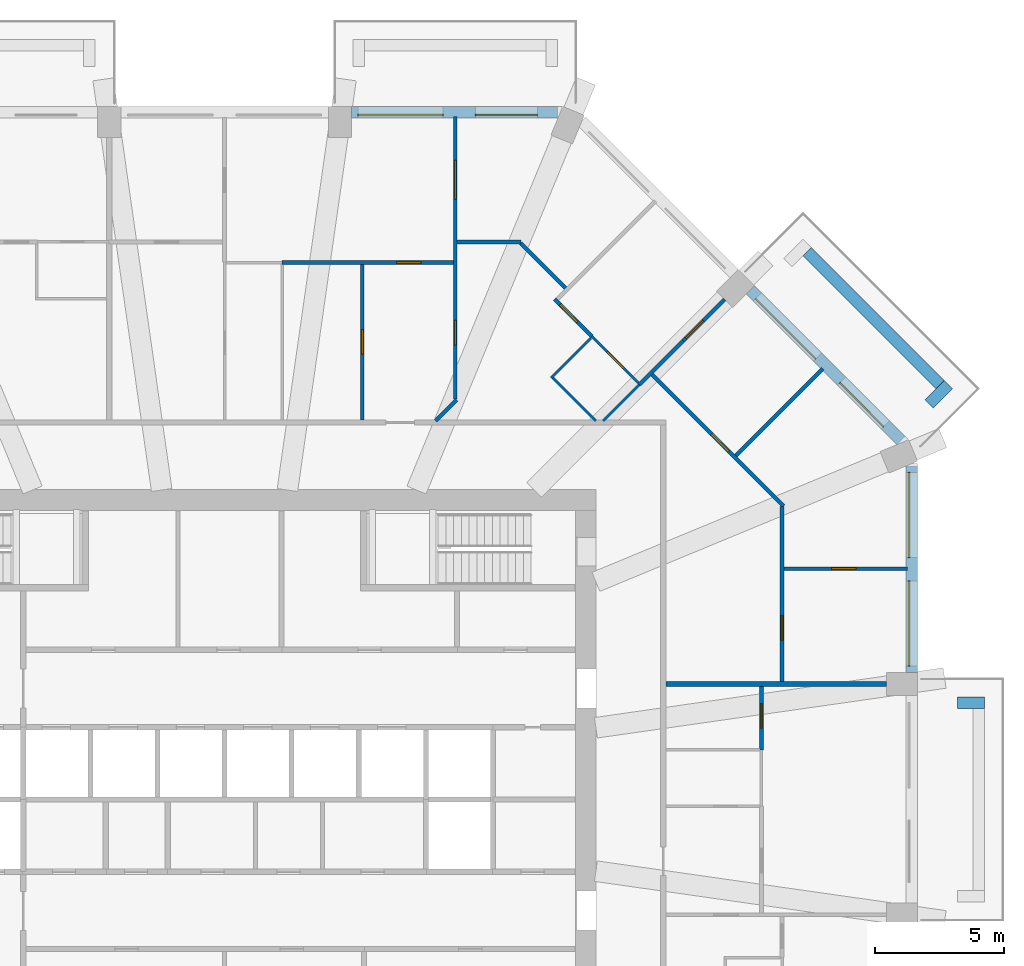
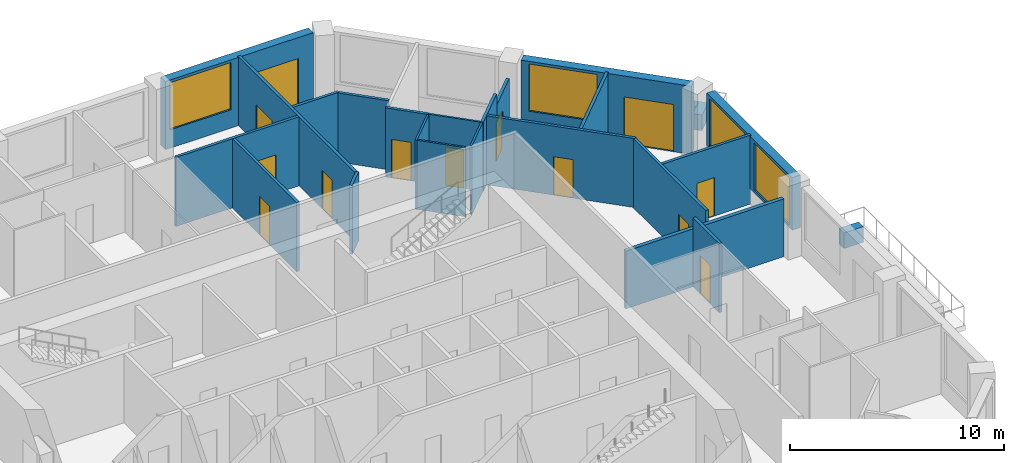
# One storey, part 10 of 13: 25 walls, 13 doors, 4 windows, 17 openings.
"""IFC4 building model written with IfcOpenShell, lengths in metres."""

from ifc_helpers import new_model, si_unit, direction, frame, frame_2d, origin, place, context, subcontext, project, spatial, rectangle, extrude, material, layer, layer_set, type_object, element, fill, save


model = new_model("IFC4")

# Units and contexts
model_context = context("Model", 3, precision=1e-05, world=origin(), true_north=direction((0.0, 1.0)))
body_context = subcontext(model_context, "Body", "Model", "MODEL_VIEW")
ifc_project = project(units=[si_unit("LENGTHUNIT", "METRE"), si_unit("AREAUNIT", "SQUARE_METRE"), si_unit("VOLUMEUNIT", "CUBIC_METRE"), si_unit("PLANEANGLEUNIT", "RADIAN"), si_unit("MASSUNIT", "GRAM", prefix="KILO")], contexts=[model_context])

# Site, building, storey
site_placement = place(None, origin())
site = spatial("IfcSite", under=ifc_project, at=site_placement, CompositionType="ELEMENT")
building_placement = place(site_placement, origin())
building = spatial("IfcBuilding", under=site, at=building_placement, Name="Msitu Wima Residences", CompositionType="ELEMENT")
storey_placement = place(building_placement, frame((0.0, 0.0, 106.5)))
storey = spatial("IfcBuildingStorey", under=building, at=storey_placement, Name="L24", CompositionType="ELEMENT", Elevation=106.5)

# Walls
ifc_material_1 = material(Name="Facing brick")
ifc_layer_1 = layer(ifc_material_1, 0.06494140625, Name="Facing brick")
ifc_material_2 = material(Name="Concrete C40/50", Category="concrete")
ifc_layer_2 = layer(ifc_material_2, 0.156005859375, Name="Concrete C40/50")
ifc_material_3 = material(Name="Waterproofing membrane")
ifc_layer_3 = layer(ifc_material_3, 0.00390625, Name="Waterproofing membrane")
ifc_material_4 = material(Name="Planting soil and planting")
ifc_layer_4 = layer(ifc_material_4, 0.22509765625, Name="Planting soil and planting")
ifc_layer_set_1 = layer_set([ifc_layer_1, ifc_layer_2, ifc_layer_3, ifc_layer_4], Name="Concrete C40/50")
wall_type_1 = type_object("IfcWallType", Name="Balcony planter PLANTER PL450", PredefinedType="USERDEFINED", material=ifc_layer_set_1)
wall_1_placement = place(storey_placement, frame((28.39990234375, 3.74365234375, 0.0), z_axis=(0.0, 0.0, 1.0), x_axis=(1.0, 0.0, 0.0)))
element("IfcWall", 1, at=wall_1_placement, inside=storey, type_object=wall_type_1, Name="Balcony planter E1 L24", ObjectType="PLANTER", PredefinedType="USERDEFINED", context=body_context, shape_type="SweptSolid", body=[
    extrude(rectangle(XDim=1.050048828125, YDim=0.449951171875, at=frame_2d((0.52490234375, 0.0))), origin(), (0.0, 0.0, 1.0), 0.89990234375),
])
wall_2_placement = place(storey_placement, frame((27.725830078125, 16.0751953125, 0.0), z_axis=(0.0, 0.0, 1.0), x_axis=(-0.707106781187, 0.707106781187, 0.0)))
element("IfcWall", 2, at=wall_2_placement, inside=storey, type_object=wall_type_1, Name="Balcony planter NE0 L24", ObjectType="PLANTER", PredefinedType="USERDEFINED", context=body_context, shape_type="SweptSolid", body=[
    extrude(rectangle(XDim=7.288330078125, YDim=0.449951171875, at=frame_2d((3.64404296875, 0.0))), origin(), (0.0, 0.0, 1.0), 0.89990234375),
])
wall_3_placement = place(storey_placement, frame((27.301513671875, 15.332763671875, 0.0), z_axis=(0.0, 0.0, 1.0), x_axis=(0.707106781187, 0.707106781187, 0.0)))
element("IfcWall", 3, at=wall_3_placement, inside=storey, type_object=wall_type_1, Name="Balcony planter NE0 L24", ObjectType="PLANTER", PredefinedType="USERDEFINED", context=body_context, shape_type="SweptSolid", body=[
    extrude(rectangle(XDim=1.050048828125, YDim=0.449951171875, at=frame_2d((0.52490234375, 0.0))), origin(), (0.0, 0.0, 1.0), 0.89990234375),
])

# Wall, openings, windows
ifc_material_5 = material(Name="Brick (red buff mix)", Category="masonry")
ifc_layer_5 = layer(ifc_material_5, 0.449951171875)
ifc_layer_set_2 = layer_set([ifc_layer_5], Name="Brick (red buff mix)")
wall_type_2 = type_object("IfcWallType", Name="Brick infill wall BW450", PredefinedType="SOLIDWALL", material=ifc_layer_set_2)
wall_4_placement = place(storey_placement, frame((26.625, 4.918701171875, 0.89990234375), z_axis=(0.0, 0.0, 1.0), x_axis=(0.0, 1.0, 0.0)))
wall_4 = element("IfcWall", 4, at=wall_4_placement, inside=storey, type_object=wall_type_2, Name="Brick infill wall L24 E2", PredefinedType="SOLIDWALL", context=body_context, shape_type="SweptSolid", body=[
    extrude(rectangle(XDim=8.0, YDim=0.449951171875, at=frame_2d((4.0, 0.0))), origin(), (0.0, 0.0, 1.0), 3.0),
])
opening_1_placement = place(wall_4_placement, frame((0.25, 0.0, 0.14990234375)))
opening_1 = element("IfcOpeningElement", 5, at=opening_1_placement, cuts=wall_4, Name="Opening W24.004", PredefinedType="OPENING", context=body_context, shape_type="SweptSolid", body=[
    extrude(rectangle(XDim=3.300048828125, YDim=2.699951171875, at=frame_2d((1.64990234375, 1.35009765625))), frame((0.0, 0.23486328125, 0.0), z_axis=(0.0, -1.0, 0.0), x_axis=(1.0, 0.0, 0.0)), (0.0, 0.0, 1.0), 0.469970703125),
])
opening_2_placement = place(wall_4_placement, frame((4.4501953125, 0.0, 0.14990234375)))
opening_2 = element("IfcOpeningElement", 6, at=opening_2_placement, cuts=wall_4, Name="Opening W24.005", PredefinedType="OPENING", context=body_context, shape_type="SweptSolid", body=[
    extrude(rectangle(XDim=3.300048828125, YDim=2.699951171875, at=frame_2d((1.64990234375, 1.35009765625))), frame((0.0, 0.23486328125, 0.0), z_axis=(0.0, -1.0, 0.0), x_axis=(1.0, 0.0, 0.0)), (0.0, 0.0, 1.0), 0.469970703125),
])
ifc_material_6 = material(Name="Anodised aluminium, bronze finish, clear low-emissivity double glazing", Category="aluminium")
window_type = type_object("IfcWindowType", Name="Window W3300x2700", PartitioningType="DOUBLE_PANEL_VERTICAL", PredefinedType="WINDOW", material=ifc_material_6)
window_1_placement = place(opening_1_placement, origin())
window_1 = element("IfcWindow", 7, at=window_1_placement, inside=storey, type_object=window_type, Name="Window L24 E2.1", OverallHeight=2.699951171875, OverallWidth=3.300048828125, PartitioningType="SINGLE_PANEL", PredefinedType="WINDOW", context=body_context, shape_type="SweptSolid", body=[
    extrude(rectangle(XDim=3.300048828125, YDim=2.699951171875, at=frame_2d((1.64990234375, 1.35009765625))), frame((0.0, 0.135009765625, 0.0), z_axis=(0.0, -1.0, 0.0), x_axis=(1.0, 0.0, 0.0)), (0.0, 0.0, 1.0), 0.06005859375),
])
fill(opening_1, window_1)
window_2_placement = place(opening_2_placement, origin())
window_2 = element("IfcWindow", 8, at=window_2_placement, inside=storey, type_object=window_type, Name="Window L24 E2.2", OverallHeight=2.699951171875, OverallWidth=3.300048828125, PartitioningType="SINGLE_PANEL", PredefinedType="WINDOW", context=body_context, shape_type="SweptSolid", body=[
    extrude(rectangle(XDim=3.300048828125, YDim=2.699951171875, at=frame_2d((1.64990234375, 1.35009765625))), frame((0.0, 0.135009765625, 0.0), z_axis=(0.0, -1.0, 0.0), x_axis=(1.0, 0.0, 0.0)), (0.0, 0.0, 1.0), 0.06005859375),
])
fill(opening_2, window_2)

# Wall, openings, door, window
wall_5_placement = place(storey_placement, frame((26.214599609375, 13.909423828125, 0.0), z_axis=(0.0, 0.0, 1.0), x_axis=(-0.707106781187, 0.707106781187, 0.0)))
wall_5 = element("IfcWall", 9, at=wall_5_placement, inside=storey, type_object=wall_type_2, Name="Brick infill wall L24 NE0", PredefinedType="SOLIDWALL", context=body_context, shape_type="SweptSolid", body=[
    extrude(rectangle(XDim=8.251220703125, YDim=0.449951171875, at=frame_2d((4.12548828125, 0.0))), origin(), (0.0, 0.0, 1.0), 3.89990234375),
])
opening_3_placement = place(wall_5_placement, frame((0.86279296875, 0.0, 0.0)))
opening_3 = element("IfcOpeningElement", 10, at=opening_3_placement, cuts=wall_5, Name="Opening D24.004", PredefinedType="OPENING", context=body_context, shape_type="SweptSolid", body=[
    extrude(rectangle(XDim=2.39990234375, YDim=2.699951171875, at=frame_2d((1.199951171875, 1.35009765625))), frame((0.0, 0.23486328125, 0.0), z_axis=(0.0, -1.0, 0.0), x_axis=(1.0, 0.0, 0.0)), (0.0, 0.0, 1.0), 0.469970703125),
])
opening_4_placement = place(wall_5_placement, frame((4.57568359375, 0.0, 1.050048828125)))
opening_4 = element("IfcOpeningElement", 11, at=opening_4_placement, cuts=wall_5, Name="Opening W24.010", PredefinedType="OPENING", context=body_context, shape_type="SweptSolid", body=[
    extrude(rectangle(XDim=3.300048828125, YDim=2.699951171875, at=frame_2d((1.64990234375, 1.35009765625))), frame((0.0, 0.23486328125, 0.0), z_axis=(0.0, -1.0, 0.0), x_axis=(1.0, 0.0, 0.0)), (0.0, 0.0, 1.0), 0.469970703125),
])
door_type_1 = type_object("IfcDoorType", Name="Balcony door D2400x2700", OperationType="SLIDING_TO_LEFT", PredefinedType="DOOR", material=ifc_material_6)
door_1_placement = place(opening_3_placement, origin())
door_1 = element("IfcDoor", 12, at=door_1_placement, inside=storey, type_object=door_type_1, Name="Balcony door L24 NE0", OperationType="SINGLE_SWING_LEFT", OverallHeight=2.699951171875, OverallWidth=2.39990234375, PredefinedType="DOOR", context=body_context, shape_type="SweptSolid", body=[
    extrude(rectangle(XDim=2.39990234375, YDim=2.699951171875, at=frame_2d((1.199951171875, 1.35009765625))), frame((0.0, 0.1298828125, 0.0), z_axis=(0.0, -1.0, 0.0), x_axis=(1.0, 0.0, 0.0)), (0.0, 0.0, 1.0), 0.050048828125),
])
fill(opening_3, door_1)
window_3_placement = place(opening_4_placement, origin())
window_3 = element("IfcWindow", 13, at=window_3_placement, inside=storey, type_object=window_type, Name="Window L24 NE0.2", OverallHeight=2.699951171875, OverallWidth=3.300048828125, PartitioningType="SINGLE_PANEL", PredefinedType="WINDOW", context=body_context, shape_type="SweptSolid", body=[
    extrude(rectangle(XDim=3.300048828125, YDim=2.699951171875, at=frame_2d((1.64990234375, 1.35009765625))), frame((0.0, 0.135009765625, 0.0), z_axis=(0.0, -1.0, 0.0), x_axis=(1.0, 0.0, 0.0)), (0.0, 0.0, 1.0), 0.06005859375),
])
fill(opening_4, window_3)

wall_6_placement = place(storey_placement, frame((12.918701171875, 26.625, 0.0), z_axis=(0.0, 0.0, 1.0), x_axis=(-1.0, 0.0, 0.0)))
wall_6 = element("IfcWall", 14, at=wall_6_placement, inside=storey, type_object=wall_type_2, Name="Brick infill wall L24 N0", PredefinedType="SOLIDWALL", context=body_context, shape_type="SweptSolid", body=[
    extrude(rectangle(XDim=8.0, YDim=0.449951171875, at=frame_2d((4.0, 0.0))), origin(), (0.0, 0.0, 1.0), 3.89990234375),
])
opening_5_placement = place(wall_6_placement, frame((0.800048828125, 0.0, 0.0)))
opening_5 = element("IfcOpeningElement", 15, at=opening_5_placement, cuts=wall_6, Name="Opening D24.002", PredefinedType="OPENING", context=body_context, shape_type="SweptSolid", body=[
    extrude(rectangle(XDim=2.39990234375, YDim=2.699951171875, at=frame_2d((1.199951171875, 1.35009765625))), frame((0.0, 0.23486328125, 0.0), z_axis=(0.0, -1.0, 0.0), x_axis=(1.0, 0.0, 0.0)), (0.0, 0.0, 1.0), 0.469970703125),
])
opening_6_placement = place(wall_6_placement, frame((4.4501953125, 0.0, 1.050048828125)))
opening_6 = element("IfcOpeningElement", 16, at=opening_6_placement, cuts=wall_6, Name="Opening W24.006", PredefinedType="OPENING", context=body_context, shape_type="SweptSolid", body=[
    extrude(rectangle(XDim=3.300048828125, YDim=2.699951171875, at=frame_2d((1.64990234375, 1.35009765625))), frame((0.0, 0.23486328125, 0.0), z_axis=(0.0, -1.0, 0.0), x_axis=(1.0, 0.0, 0.0)), (0.0, 0.0, 1.0), 0.469970703125),
])
door_2_placement = place(opening_5_placement, origin())
door_2 = element("IfcDoor", 17, at=door_2_placement, inside=storey, type_object=door_type_1, Name="Balcony door L24 N0", OperationType="SINGLE_SWING_LEFT", OverallHeight=2.699951171875, OverallWidth=2.39990234375, PredefinedType="DOOR", context=body_context, shape_type="SweptSolid", body=[
    extrude(rectangle(XDim=2.39990234375, YDim=2.699951171875, at=frame_2d((1.199951171875, 1.35009765625))), frame((0.0, 0.1298828125, 0.0), z_axis=(0.0, -1.0, 0.0), x_axis=(1.0, 0.0, 0.0)), (0.0, 0.0, 1.0), 0.050048828125),
])
fill(opening_5, door_2)
window_4_placement = place(opening_6_placement, origin())
window_4 = element("IfcWindow", 18, at=window_4_placement, inside=storey, type_object=window_type, Name="Window L24 N0.2", OverallHeight=2.699951171875, OverallWidth=3.300048828125, PartitioningType="SINGLE_PANEL", PredefinedType="WINDOW", context=body_context, shape_type="SweptSolid", body=[
    extrude(rectangle(XDim=3.300048828125, YDim=2.699951171875, at=frame_2d((1.64990234375, 1.35009765625))), frame((0.0, 0.135009765625, 0.0), z_axis=(0.0, -1.0, 0.0), x_axis=(1.0, 0.0, 0.0)), (0.0, 0.0, 1.0), 0.06005859375),
])
fill(opening_6, window_4)

# Wall, opening, door
ifc_material_7 = material(Name="Plaster")
ifc_layer_6 = layer(ifc_material_7, 0.011962890625, Name="Plaster")
ifc_material_8 = material(Name="Concrete blockwork", Category="masonry")
ifc_layer_7 = layer(ifc_material_8, 0.1259765625, Name="Concrete blockwork")
ifc_layer_8 = layer(ifc_material_7, 0.011962890625, Name="Plaster")
ifc_layer_set_3 = layer_set([ifc_layer_6, ifc_layer_7, ifc_layer_8], Name="Concrete blockwork")
wall_type_3 = type_object("IfcWallType", Name="Partition PW150", PredefinedType="PARTITIONING", material=ifc_layer_set_3)
wall_7_placement = place(storey_placement, frame((2.21728515625, 20.800048828125, 0.0), z_axis=(0.0, 0.0, 1.0), x_axis=(1.0, 0.0, 0.0)))
wall_7 = element("IfcWall", 19, at=wall_7_placement, inside=storey, type_object=wall_type_3, Name="Partition", PredefinedType="PARTITIONING", context=body_context, shape_type="SweptSolid", body=[
    extrude(rectangle(XDim=6.64501953125, YDim=0.14990234375, at=frame_2d((3.322509765625, 0.0))), origin(), (0.0, 0.0, 1.0), 3.949951171875),
])
opening_7_placement = place(wall_7_placement, frame((4.449951171875, 0.0, 0.0)))
opening_7 = element("IfcOpeningElement", 20, at=opening_7_placement, cuts=wall_7, Name="Opening D24.053", PredefinedType="OPENING", context=body_context, shape_type="SweptSolid", body=[
    extrude(rectangle(XDim=0.949951171875, YDim=2.199951171875, at=frame_2d((0.47509765625, 1.10009765625))), frame((0.0, 0.0849609375, 0.0), z_axis=(0.0, -1.0, 0.0), x_axis=(1.0, 0.0, 0.0)), (0.0, 0.0, 1.0), 0.169921875),
])
ifc_material_9 = material(Name="Timber flush door", Category="wood")
door_type_2 = type_object("IfcDoorType", Name="Room door D12 950x2200", OperationType="SINGLE_SWING_LEFT", PredefinedType="DOOR", material=ifc_material_9)
door_3_placement = place(opening_7_placement, origin())
door_3 = element("IfcDoor", 21, at=door_3_placement, inside=storey, type_object=door_type_2, Name="Room door", OperationType="SINGLE_SWING_RIGHT", OverallHeight=2.199951171875, OverallWidth=0.949951171875, PredefinedType="DOOR", context=body_context, shape_type="SweptSolid", body=[
    extrude(rectangle(XDim=0.949951171875, YDim=2.199951171875, at=frame_2d((0.47509765625, 1.10009765625))), frame((0.0, 0.02490234375, 0.0), z_axis=(0.0, -1.0, 0.0), x_axis=(1.0, 0.0, 0.0)), (0.0, 0.0, 1.0), 0.050048828125),
])
fill(opening_7, door_3)

wall_8_placement = place(storey_placement, frame((5.337158203125, 14.699951171875, 0.0), z_axis=(0.0, 0.0, 1.0), x_axis=(0.0, 1.0, 0.0)))
wall_8 = element("IfcWall", 22, at=wall_8_placement, inside=storey, type_object=wall_type_3, Name="Partition", PredefinedType="PARTITIONING", context=body_context, shape_type="SweptSolid", body=[
    extrude(rectangle(XDim=6.025146484375, YDim=0.14990234375, at=frame_2d((3.0126953125, 0.0))), origin(), (0.0, 0.0, 1.0), 3.949951171875),
])
opening_8_placement = place(wall_8_placement, frame((2.550048828125, 0.0, 0.0)))
opening_8 = element("IfcOpeningElement", 23, at=opening_8_placement, cuts=wall_8, Name="Opening D24.075", PredefinedType="OPENING", context=body_context, shape_type="SweptSolid", body=[
    extrude(rectangle(XDim=0.949951171875, YDim=2.199951171875, at=frame_2d((0.47509765625, 1.10009765625))), frame((0.0, 0.0849609375, 0.0), z_axis=(0.0, -1.0, 0.0), x_axis=(1.0, 0.0, 0.0)), (0.0, 0.0, 1.0), 0.169921875),
])
door_4_placement = place(opening_8_placement, origin())
door_4 = element("IfcDoor", 24, at=door_4_placement, inside=storey, type_object=door_type_2, Name="Room door", OperationType="SINGLE_SWING_RIGHT", OverallHeight=2.199951171875, OverallWidth=0.949951171875, PredefinedType="DOOR", context=body_context, shape_type="SweptSolid", body=[
    extrude(rectangle(XDim=0.949951171875, YDim=2.199951171875, at=frame_2d((0.47509765625, 1.10009765625))), frame((0.0, 0.02490234375, 0.0), z_axis=(0.0, -1.0, 0.0), x_axis=(1.0, 0.0, 0.0)), (0.0, 0.0, 1.0), 0.050048828125),
])
fill(opening_8, door_4)

# Wall
wall_9_placement = place(storey_placement, frame((8.173583984375, 14.670654296875, 0.0), z_axis=(0.0, 0.0, 1.0), x_axis=(0.707106781187, 0.707106781187, 0.0)))
element("IfcWall", 25, at=wall_9_placement, inside=storey, type_object=wall_type_3, Name="Partition", PredefinedType="PARTITIONING", context=body_context, shape_type="SweptSolid", body=[
    extrude(rectangle(XDim=1.155029296875, YDim=0.14990234375, at=frame_2d((0.57763671875, 0.0))), origin(), (0.0, 0.0, 1.0), 3.949951171875),
])

# Wall, openings, doors
wall_10_placement = place(storey_placement, frame((8.937255859375, 15.50927734375, 0.0), z_axis=(0.0, 0.0, 1.0), x_axis=(0.0, 1.0, 0.0)))
wall_10 = element("IfcWall", 26, at=wall_10_placement, inside=storey, type_object=wall_type_3, Name="Partition", PredefinedType="PARTITIONING", context=body_context, shape_type="SweptSolid", body=[
    extrude(rectangle(XDim=10.94580078125, YDim=0.14990234375, at=frame_2d((5.472900390625, 0.0))), origin(), (0.0, 0.0, 1.0), 3.949951171875),
])
opening_9_placement = place(wall_10_placement, frame((2.10009765625, 0.0, 0.0)))
opening_9 = element("IfcOpeningElement", 27, at=opening_9_placement, cuts=wall_10, Name="Opening D24.042", PredefinedType="OPENING", context=body_context, shape_type="SweptSolid", body=[
    extrude(rectangle(XDim=0.949951171875, YDim=2.199951171875, at=frame_2d((0.47509765625, 1.10009765625))), frame((0.0, 0.0849609375, 0.0), z_axis=(0.0, -1.0, 0.0), x_axis=(1.0, 0.0, 0.0)), (0.0, 0.0, 1.0), 0.169921875),
])
opening_10_placement = place(wall_10_placement, frame((7.75, 0.0, 0.0)))
opening_10 = element("IfcOpeningElement", 28, at=opening_10_placement, cuts=wall_10, Name="Opening D24.064", PredefinedType="OPENING", context=body_context, shape_type="SweptSolid", body=[
    extrude(rectangle(XDim=1.5, YDim=2.199951171875, at=frame_2d((0.75, 1.10009765625))), frame((0.0, 0.0849609375, 0.0), z_axis=(0.0, -1.0, 0.0), x_axis=(1.0, 0.0, 0.0)), (0.0, 0.0, 1.0), 0.169921875),
])
ifc_material_10 = material(Name="Timber double door", Category="wood")
door_type_3 = type_object("IfcDoorType", Name="Double door D04 1500x2200", OperationType="DOUBLE_DOOR_SINGLE_SWING", PredefinedType="DOOR", material=ifc_material_10)
door_5_placement = place(opening_10_placement, origin())
door_5 = element("IfcDoor", 29, at=door_5_placement, inside=storey, type_object=door_type_3, Name="Double door", OperationType="DOUBLE_DOOR_SINGLE_SWING", OverallHeight=2.199951171875, OverallWidth=1.5, PredefinedType="DOOR", context=body_context, shape_type="SweptSolid", body=[
    extrude(rectangle(XDim=1.5, YDim=2.199951171875, at=frame_2d((0.75, 1.10009765625))), frame((0.0, 0.02490234375, 0.0), z_axis=(0.0, -1.0, 0.0), x_axis=(1.0, 0.0, 0.0)), (0.0, 0.0, 1.0), 0.050048828125),
])
fill(opening_10, door_5)
door_6_placement = place(opening_9_placement, origin())
door_6 = element("IfcDoor", 30, at=door_6_placement, inside=storey, type_object=door_type_2, Name="Room door", OperationType="SINGLE_SWING_RIGHT", OverallHeight=2.199951171875, OverallWidth=0.949951171875, PredefinedType="DOOR", context=body_context, shape_type="SweptSolid", body=[
    extrude(rectangle(XDim=0.949951171875, YDim=2.199951171875, at=frame_2d((0.47509765625, 1.10009765625))), frame((0.0, 0.02490234375, 0.0), z_axis=(0.0, -1.0, 0.0), x_axis=(1.0, 0.0, 0.0)), (0.0, 0.0, 1.0), 0.050048828125),
])
fill(opening_9, door_6)

# Walls
wall_11_placement = place(storey_placement, frame((9.01220703125, 21.60009765625, 0.0), z_axis=(0.0, 0.0, 1.0), x_axis=(1.0, 0.0, 0.0)))
element("IfcWall", 31, at=wall_11_placement, inside=storey, type_object=wall_type_3, Name="Partition", PredefinedType="PARTITIONING", context=body_context, shape_type="SweptSolid", body=[
    extrude(rectangle(XDim=2.48046875, YDim=0.14990234375, at=frame_2d((1.240234375, 0.0))), origin(), (0.0, 0.0, 1.0), 3.949951171875),
])
wall_12_placement = place(storey_placement, frame((11.470703125, 21.546875, 0.0), z_axis=(0.0, 0.0, 1.0), x_axis=(0.707106781187, -0.707106781187, 0.0)))
element("IfcWall", 32, at=wall_12_placement, inside=storey, type_object=wall_type_3, Name="Partition", PredefinedType="PARTITIONING", context=body_context, shape_type="SweptSolid", body=[
    extrude(rectangle(XDim=2.455810546875, YDim=0.14990234375, at=frame_2d((1.22802734375, 0.0))), origin(), (0.0, 0.0, 1.0), 3.949951171875),
])

# Wall, opening, door
wall_13_placement = place(storey_placement, frame((12.782958984375, 19.38623046875, 0.0), z_axis=(0.0, 0.0, 1.0), x_axis=(0.707106781187, -0.707106781187, 0.0)))
wall_13 = element("IfcWall", 33, at=wall_13_placement, inside=storey, type_object=wall_type_3, Name="Partition", PredefinedType="PARTITIONING", context=body_context, shape_type="SweptSolid", body=[
    extrude(rectangle(XDim=2.049072265625, YDim=0.14990234375, at=frame_2d((1.0244140625, 0.0))), origin(), (0.0, 0.0, 1.0), 3.949951171875),
])
opening_11_placement = place(wall_13_placement, frame((0.300048828125, 0.0, 0.0)))
opening_11 = element("IfcOpeningElement", 34, at=opening_11_placement, cuts=wall_13, Name="Opening D24.086", PredefinedType="OPENING", context=body_context, shape_type="SweptSolid", body=[
    extrude(rectangle(XDim=0.949951171875, YDim=2.199951171875, at=frame_2d((0.47509765625, 1.10009765625))), frame((0.0, 0.0849609375, 0.0), z_axis=(0.0, -1.0, 0.0), x_axis=(1.0, 0.0, 0.0)), (0.0, 0.0, 1.0), 0.169921875),
])
door_7_placement = place(opening_11_placement, origin())
door_7 = element("IfcDoor", 35, at=door_7_placement, inside=storey, type_object=door_type_2, Name="Room door", OperationType="SINGLE_SWING_LEFT", OverallHeight=2.199951171875, OverallWidth=0.949951171875, PredefinedType="DOOR", context=body_context, shape_type="SweptSolid", body=[
    extrude(rectangle(XDim=0.949951171875, YDim=2.199951171875, at=frame_2d((0.47509765625, 1.10009765625))), frame((0.0, 0.02490234375, 0.0), z_axis=(0.0, -1.0, 0.0), x_axis=(1.0, 0.0, 0.0)), (0.0, 0.0, 1.0), 0.050048828125),
])
fill(opening_11, door_7)

# Wall
wall_14_placement = place(storey_placement, frame((16.0703125, 16.0703125, 0.0), z_axis=(0.0, 0.0, 1.0), x_axis=(0.707106781187, 0.707106781187, 0.0)))
element("IfcWall", 36, at=wall_14_placement, inside=storey, type_object=wall_type_3, Name="Partition", PredefinedType="PARTITIONING", context=body_context, shape_type="SweptSolid", body=[
    extrude(rectangle(XDim=2.400390625, YDim=0.14990234375, at=frame_2d((1.2001953125, 0.0))), origin(), (0.0, 0.0, 1.0), 3.949951171875),
])

# Wall, opening, door
wall_15_placement = place(storey_placement, frame((17.767578125, 17.767578125, 0.0), z_axis=(0.0, 0.0, 1.0), x_axis=(0.707106781187, 0.707106781187, 0.0)))
wall_15 = element("IfcWall", 37, at=wall_15_placement, inside=storey, type_object=wall_type_3, Name="Partition", PredefinedType="PARTITIONING", context=body_context, shape_type="SweptSolid", body=[
    extrude(rectangle(XDim=2.269775390625, YDim=0.14990234375, at=frame_2d((1.134765625, 0.0))), origin(), (0.0, 0.0, 1.0), 3.300048828125),
])
opening_12_placement = place(wall_15_placement, frame((0.14990234375, 0.0, 0.0)))
opening_12 = element("IfcOpeningElement", 38, at=opening_12_placement, cuts=wall_15, Name="Opening D24.043", PredefinedType="OPENING", context=body_context, shape_type="SweptSolid", body=[
    extrude(rectangle(XDim=0.949951171875, YDim=2.199951171875, at=frame_2d((0.47509765625, 1.10009765625))), frame((0.0, 0.0849609375, 0.0), z_axis=(0.0, -1.0, 0.0), x_axis=(1.0, 0.0, 0.0)), (0.0, 0.0, 1.0), 0.169921875),
])
door_8_placement = place(opening_12_placement, origin())
door_8 = element("IfcDoor", 39, at=door_8_placement, inside=storey, type_object=door_type_2, Name="Room door", OperationType="SINGLE_SWING_RIGHT", OverallHeight=2.199951171875, OverallWidth=0.949951171875, PredefinedType="DOOR", context=body_context, shape_type="SweptSolid", body=[
    extrude(rectangle(XDim=0.949951171875, YDim=2.199951171875, at=frame_2d((0.47509765625, 1.10009765625))), frame((0.0, 0.02490234375, 0.0), z_axis=(0.0, -1.0, 0.0), x_axis=(1.0, 0.0, 0.0)), (0.0, 0.0, 1.0), 0.050048828125),
])
fill(opening_12, door_8)

wall_16_placement = place(storey_placement, frame((16.561767578125, 16.455810546875, 0.0), z_axis=(0.0, 0.0, 1.0), x_axis=(0.707123735134, -0.707089826832, 0.0)))
wall_16 = element("IfcWall", 40, at=wall_16_placement, inside=storey, type_object=wall_type_3, Name="Partition", PredefinedType="PARTITIONING", context=body_context, shape_type="SweptSolid", body=[
    extrude(rectangle(XDim=7.199951171875, YDim=0.14990234375, at=frame_2d((3.60009765625, 0.0))), origin(), (0.0, 0.0, 1.0), 3.949951171875),
])
opening_13_placement = place(wall_16_placement, frame((3.25, 0.0, 0.0)))
opening_13 = element("IfcOpeningElement", 41, at=opening_13_placement, cuts=wall_16, Name="Opening D24.044", PredefinedType="OPENING", context=body_context, shape_type="SweptSolid", body=[
    extrude(rectangle(XDim=0.949951171875, YDim=2.199951171875, at=frame_2d((0.47509765625, 1.10009765625))), frame((0.0, 0.0849609375, 0.0), z_axis=(0.0, -1.0, 0.0), x_axis=(1.0, 0.0, 0.0)), (0.0, 0.0, 1.0), 0.169921875),
])
door_9_placement = place(opening_13_placement, origin())
door_9 = element("IfcDoor", 42, at=door_9_placement, inside=storey, type_object=door_type_2, Name="Room door", OperationType="SINGLE_SWING_RIGHT", OverallHeight=2.199951171875, OverallWidth=0.949951171875, PredefinedType="DOOR", context=body_context, shape_type="SweptSolid", body=[
    extrude(rectangle(XDim=0.949951171875, YDim=2.199951171875, at=frame_2d((0.47509765625, 1.10009765625))), frame((0.0, 0.02490234375, 0.0), z_axis=(0.0, -1.0, 0.0), x_axis=(1.0, 0.0, 0.0)), (0.0, 0.0, 1.0), 0.050048828125),
])
fill(opening_13, door_9)

# Wall
wall_17_placement = place(storey_placement, frame((19.810302734375, 13.313232421875, 0.0), z_axis=(0.0, 0.0, 1.0), x_axis=(0.707106781187, 0.707106781187, 0.0)))
element("IfcWall", 43, at=wall_17_placement, inside=storey, type_object=wall_type_3, Name="Partition", PredefinedType="PARTITIONING", context=body_context, shape_type="SweptSolid", body=[
    extrude(rectangle(XDim=4.7802734375, YDim=0.14990234375, at=frame_2d((2.39013671875, 0.0))), origin(), (0.0, 0.0, 1.0), 3.949951171875),
])

# Wall, opening, door
wall_18_placement = place(storey_placement, frame((20.800048828125, 1.911376953125, 0.0), z_axis=(0.0, 0.0, 1.0), x_axis=(0.0, 1.0, 0.0)))
wall_18 = element("IfcWall", 44, at=wall_18_placement, inside=storey, type_object=wall_type_3, Name="Partition", PredefinedType="PARTITIONING", context=body_context, shape_type="SweptSolid", body=[
    extrude(rectangle(XDim=2.457275390625, YDim=0.14990234375, at=frame_2d((1.228515625, 0.0))), origin(), (0.0, 0.0, 1.0), 3.949951171875),
])
opening_14_placement = place(wall_18_placement, frame((0.85009765625, 0.0, 0.0)))
opening_14 = element("IfcOpeningElement", 45, at=opening_14_placement, cuts=wall_18, Name="Opening D24.090", PredefinedType="OPENING", context=body_context, shape_type="SweptSolid", body=[
    extrude(rectangle(XDim=0.949951171875, YDim=2.199951171875, at=frame_2d((0.47509765625, 1.10009765625))), frame((0.0, 0.0849609375, 0.0), z_axis=(0.0, -1.0, 0.0), x_axis=(1.0, 0.0, 0.0)), (0.0, 0.0, 1.0), 0.169921875),
])
door_10_placement = place(opening_14_placement, origin())
door_10 = element("IfcDoor", 46, at=door_10_placement, inside=storey, type_object=door_type_2, Name="Room door", OperationType="SINGLE_SWING_LEFT", OverallHeight=2.199951171875, OverallWidth=0.949951171875, PredefinedType="DOOR", context=body_context, shape_type="SweptSolid", body=[
    extrude(rectangle(XDim=0.949951171875, YDim=2.199951171875, at=frame_2d((0.47509765625, 1.10009765625))), frame((0.0, 0.02490234375, 0.0), z_axis=(0.0, -1.0, 0.0), x_axis=(1.0, 0.0, 0.0)), (0.0, 0.0, 1.0), 0.050048828125),
])
fill(opening_14, door_10)

wall_19_placement = place(storey_placement, frame((21.60009765625, 4.568603515625, 0.0), z_axis=(0.0, 0.0, 1.0), x_axis=(0.0, 1.0, 0.0)))
wall_19 = element("IfcWall", 47, at=wall_19_placement, inside=storey, type_object=wall_type_3, Name="Partition", PredefinedType="PARTITIONING", context=body_context, shape_type="SweptSolid", body=[
    extrude(rectangle(XDim=6.774169921875, YDim=0.14990234375, at=frame_2d((3.38720703125, 0.0))), origin(), (0.0, 0.0, 1.0), 3.949951171875),
])
opening_15_placement = place(wall_19_placement, frame((1.60009765625, 0.0, 0.0)))
opening_15 = element("IfcOpeningElement", 48, at=opening_15_placement, cuts=wall_19, Name="Opening D24.045", PredefinedType="OPENING", context=body_context, shape_type="SweptSolid", body=[
    extrude(rectangle(XDim=0.949951171875, YDim=2.199951171875, at=frame_2d((0.47509765625, 1.10009765625))), frame((0.0, 0.0849609375, 0.0), z_axis=(0.0, -1.0, 0.0), x_axis=(1.0, 0.0, 0.0)), (0.0, 0.0, 1.0), 0.169921875),
])
door_11_placement = place(opening_15_placement, origin())
door_11 = element("IfcDoor", 49, at=door_11_placement, inside=storey, type_object=door_type_2, Name="Room door", OperationType="SINGLE_SWING_RIGHT", OverallHeight=2.199951171875, OverallWidth=0.949951171875, PredefinedType="DOOR", context=body_context, shape_type="SweptSolid", body=[
    extrude(rectangle(XDim=0.949951171875, YDim=2.199951171875, at=frame_2d((0.47509765625, 1.10009765625))), frame((0.0, 0.02490234375, 0.0), z_axis=(0.0, -1.0, 0.0), x_axis=(1.0, 0.0, 0.0)), (0.0, 0.0, 1.0), 0.050048828125),
])
fill(opening_15, door_11)

wall_20_placement = place(storey_placement, frame((21.675048828125, 8.937255859375, 0.0), z_axis=(0.0, 0.0, 1.0), x_axis=(1.0, 0.0, 0.0)))
wall_20 = element("IfcWall", 50, at=wall_20_placement, inside=storey, type_object=wall_type_3, Name="Partition", PredefinedType="PARTITIONING", context=body_context, shape_type="SweptSolid", body=[
    extrude(rectangle(XDim=4.780029296875, YDim=0.14990234375, at=frame_2d((2.39013671875, 0.0))), origin(), (0.0, 0.0, 1.0), 3.949951171875),
])
opening_16_placement = place(wall_20_placement, frame((1.85009765625, 0.0, 0.0)))
opening_16 = element("IfcOpeningElement", 51, at=opening_16_placement, cuts=wall_20, Name="Opening D24.046", PredefinedType="OPENING", context=body_context, shape_type="SweptSolid", body=[
    extrude(rectangle(XDim=0.949951171875, YDim=2.199951171875, at=frame_2d((0.47509765625, 1.10009765625))), frame((0.0, 0.0849609375, 0.0), z_axis=(0.0, -1.0, 0.0), x_axis=(1.0, 0.0, 0.0)), (0.0, 0.0, 1.0), 0.169921875),
])
door_12_placement = place(opening_16_placement, origin())
door_12 = element("IfcDoor", 52, at=door_12_placement, inside=storey, type_object=door_type_2, Name="Room door", OperationType="SINGLE_SWING_LEFT", OverallHeight=2.199951171875, OverallWidth=0.949951171875, PredefinedType="DOOR", context=body_context, shape_type="SweptSolid", body=[
    extrude(rectangle(XDim=0.949951171875, YDim=2.199951171875, at=frame_2d((0.47509765625, 1.10009765625))), frame((0.0, 0.02490234375, 0.0), z_axis=(0.0, -1.0, 0.0), x_axis=(1.0, 0.0, 0.0)), (0.0, 0.0, 1.0), 0.050048828125),
])
fill(opening_16, door_12)

# Walls
ifc_layer_9 = layer(ifc_material_7, 0.011962890625, Name="Plaster")
ifc_material_11 = material(Name="Dense concrete blockwork", Category="masonry")
ifc_layer_10 = layer(ifc_material_11, 0.176025390625, Name="Dense concrete blockwork")
ifc_layer_11 = layer(ifc_material_7, 0.011962890625, Name="Plaster")
ifc_layer_set_4 = layer_set([ifc_layer_9, ifc_layer_10, ifc_layer_11], Name="Dense concrete blockwork")
wall_type_4 = type_object("IfcWallType", Name="Party wall PW200", PredefinedType="PARTITIONING", material=ifc_layer_set_4)
wall_21_placement = place(storey_placement, frame((17.10009765625, 4.46875, 0.0), z_axis=(0.0, 0.0, 1.0), x_axis=(1.0, 0.0, 0.0)))
element("IfcWall", 53, at=wall_21_placement, inside=storey, type_object=wall_type_4, Name="Party wall", PredefinedType="PARTITIONING", context=body_context, shape_type="SweptSolid", body=[
    extrude(rectangle(XDim=8.5498046875, YDim=0.199951171875, at=frame_2d((4.27490234375, 0.0))), origin(), (0.0, 0.0, 1.0), 3.300048828125),
])
ifc_material_12 = material(Name="Ceramic tiles")
ifc_layer_12 = layer(ifc_material_12, 0.008056640625, Name="Ceramic tiles")
ifc_material_13 = material(Name="Moisture-resistant board")
ifc_layer_13 = layer(ifc_material_13, 0.012451171875, Name="Moisture-resistant board")
ifc_material_14 = material(Name="Light-gauge stud framing with mineral wool")
ifc_layer_14 = layer(ifc_material_14, 0.06689453125, Name="Light-gauge stud framing with mineral wool")
ifc_layer_15 = layer(ifc_material_13, 0.012451171875, Name="Moisture-resistant board")
ifc_layer_set_5 = layer_set([ifc_layer_12, ifc_layer_13, ifc_layer_14, ifc_layer_15], Name="Light-gauge stud framing with mineral wool")
wall_type_5 = type_object("IfcWallType", Name="Wet wall PW100", PredefinedType="PARTITIONING", material=ifc_layer_set_5)
wall_22_placement = place(storey_placement, frame((12.655029296875, 16.33203125, 0.0), z_axis=(0.0, 0.0, 1.0), x_axis=(0.707106781187, 0.707106781187, 0.0)))
element("IfcWall", 54, at=wall_22_placement, inside=storey, type_object=wall_type_5, Name="Wet wall", PredefinedType="PARTITIONING", context=body_context, shape_type="SweptSolid", body=[
    extrude(rectangle(XDim=2.17529296875, YDim=0.10009765625, at=frame_2d((1.087646484375, 0.0))), origin(), (0.0, 0.0, 1.0), 3.949951171875),
])
wall_23_placement = place(storey_placement, frame((12.725830078125, 16.33203125, 0.0), z_axis=(0.0, 0.0, 1.0), x_axis=(0.707106781187, -0.707106781187, 0.0)))
element("IfcWall", 55, at=wall_23_placement, inside=storey, type_object=wall_type_5, Name="Wet wall", PredefinedType="PARTITIONING", context=body_context, shape_type="SweptSolid", body=[
    extrude(rectangle(XDim=2.349609375, YDim=0.10009765625, at=frame_2d((1.1748046875, 0.0))), origin(), (0.0, 0.0, 1.0), 3.949951171875),
])

# Wall, opening, door
wall_24_placement = place(storey_placement, frame((14.23193359375, 17.937255859375, 0.0), z_axis=(0.0, 0.0, 1.0), x_axis=(0.707106781187, -0.707106781187, 0.0)))
wall_24 = element("IfcWall", 56, at=wall_24_placement, inside=storey, type_object=wall_type_5, Name="Wet wall", PredefinedType="PARTITIONING", context=body_context, shape_type="SweptSolid", body=[
    extrude(rectangle(XDim=2.544921875, YDim=0.10009765625, at=frame_2d((1.2724609375, 0.0))), origin(), (0.0, 0.0, 1.0), 3.949951171875),
])
opening_17_placement = place(wall_24_placement, frame((0.85009765625, 0.0, 0.0)))
opening_17 = element("IfcOpeningElement", 57, at=opening_17_placement, cuts=wall_24, Name="Opening D24.091", PredefinedType="OPENING", context=body_context, shape_type="SweptSolid", body=[
    extrude(rectangle(XDim=0.89990234375, YDim=2.199951171875, at=frame_2d((0.449951171875, 1.10009765625))), frame((0.0, 0.06005859375, 0.0), z_axis=(0.0, -1.0, 0.0), x_axis=(1.0, 0.0, 0.0)), (0.0, 0.0, 1.0), 0.1201171875),
])
ifc_material_15 = material(Name="Timber flush door, moisture resistant", Category="wood")
door_type_4 = type_object("IfcDoorType", Name="Bathroom door D03 900x2200", OperationType="SINGLE_SWING_LEFT", PredefinedType="DOOR", material=ifc_material_15)
door_13_placement = place(opening_17_placement, origin())
door_13 = element("IfcDoor", 58, at=door_13_placement, inside=storey, type_object=door_type_4, Name="Bathroom door", OperationType="SINGLE_SWING_RIGHT", OverallHeight=2.199951171875, OverallWidth=0.89990234375, PredefinedType="DOOR", context=body_context, shape_type="SweptSolid", body=[
    extrude(rectangle(XDim=0.89990234375, YDim=2.199951171875, at=frame_2d((0.449951171875, 1.10009765625))), frame((0.0, 0.02490234375, 0.0), z_axis=(0.0, -1.0, 0.0), x_axis=(1.0, 0.0, 0.0)), (0.0, 0.0, 1.0), 0.050048828125),
])
fill(opening_17, door_13)

# Wall
wall_25_placement = place(storey_placement, frame((14.670654296875, 14.670654296875, 0.0), z_axis=(0.0, 0.0, 1.0), x_axis=(0.707106781187, 0.707106781187, 0.0)))
element("IfcWall", 59, at=wall_25_placement, inside=storey, type_object=wall_type_5, Name="Wet wall", PredefinedType="PARTITIONING", context=body_context, shape_type="SweptSolid", body=[
    extrude(rectangle(XDim=1.9794921875, YDim=0.10009765625, at=frame_2d((0.98974609375, 0.0))), origin(), (0.0, 0.0, 1.0), 3.949951171875),
])

save(model, "model.ifc")
